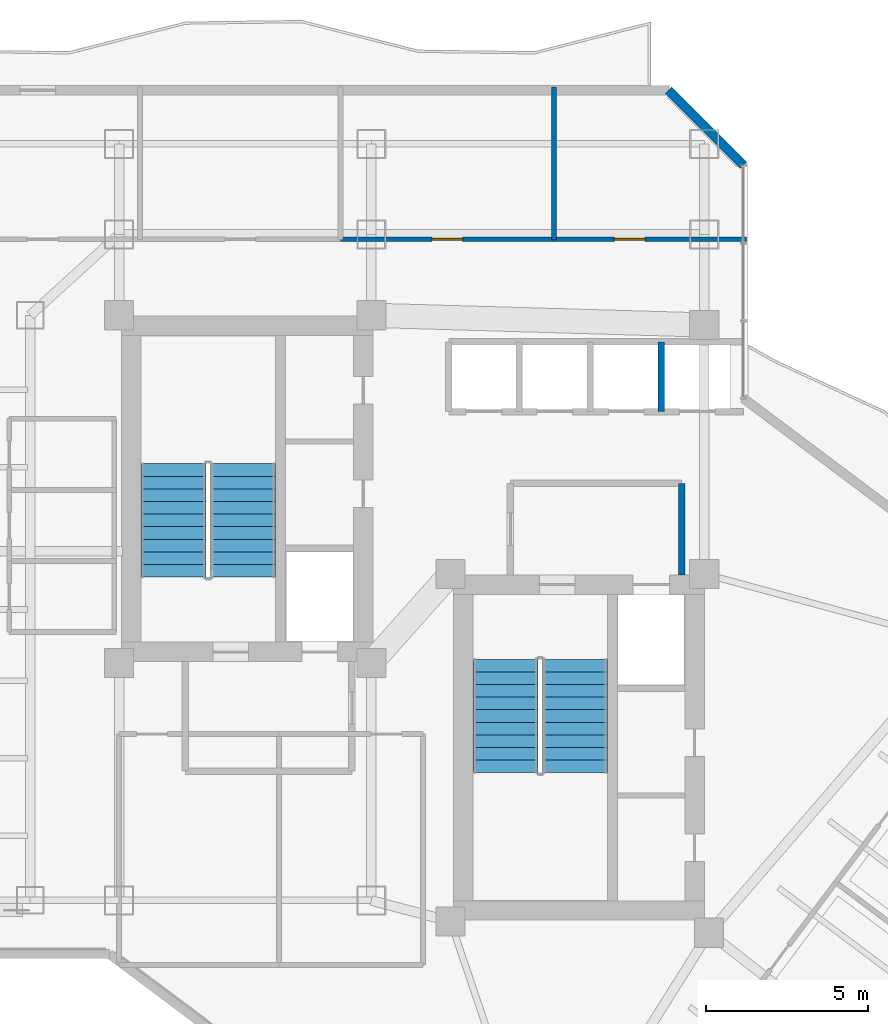
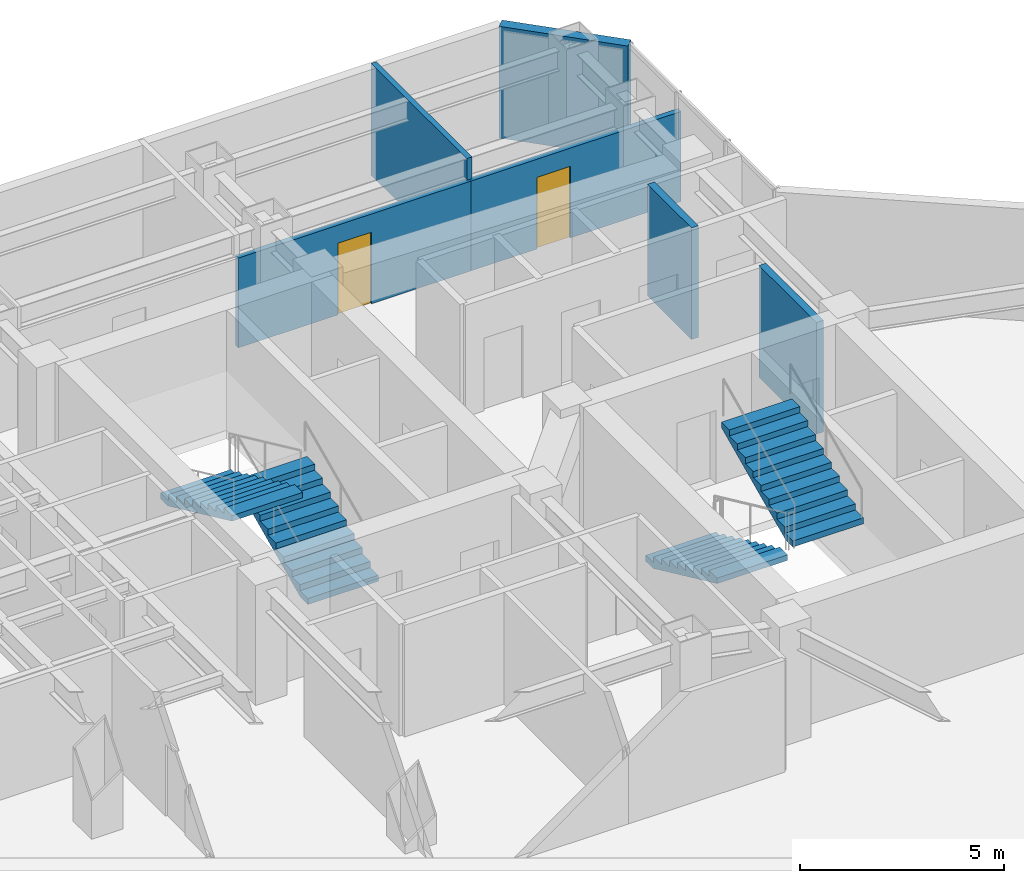
# One storey, part 26 of 31: 6 walls, 4 stair flights, 2 doors, 2 openings, 2 elements without a shape of their own.
"""IFC4 building model written with IfcOpenShell, lengths in metres."""

from ifc_helpers import new_model, si_unit, direction, frame, frame_2d, origin, place, context, subcontext, project, spatial, polyline, rectangle, outline, extrude, material, layer, layer_set, type_object, element, fill, aggregate, save


model = new_model("IFC4")

# Units and contexts
model_context = context("Model", 3, precision=1e-05, world=origin(), true_north=direction((0.0, 1.0)))
body_context = subcontext(model_context, "Body", "Model", "MODEL_VIEW")
ifc_project = project(units=[si_unit("LENGTHUNIT", "METRE"), si_unit("AREAUNIT", "SQUARE_METRE"), si_unit("VOLUMEUNIT", "CUBIC_METRE"), si_unit("PLANEANGLEUNIT", "RADIAN"), si_unit("MASSUNIT", "GRAM", prefix="KILO")], contexts=[model_context])

# Site, building, storey
site_placement = place(None, origin())
site = spatial("IfcSite", under=ifc_project, at=site_placement, CompositionType="ELEMENT")
building_placement = place(site_placement, origin())
building = spatial("IfcBuilding", under=site, at=building_placement, Name="Hatsunagi Terrace Concourse", CompositionType="ELEMENT")
storey_placement = place(building_placement, frame((0.0, 0.0, 122.85009765625)))
storey = spatial("IfcBuildingStorey", under=building, at=storey_placement, Name="L32", CompositionType="ELEMENT", Elevation=122.85009765625)

# Wall, opening, door
ifc_material_1 = material(Name="Acoustic mineral board", Category="gypsum")
ifc_layer_1 = layer(ifc_material_1, 0.14990234375)
ifc_layer_set_1 = layer_set([ifc_layer_1], Name="PartitionWall_EI60_150")
wall_type_1 = type_object("IfcWallType", Name="PartitionWall_EI60_150", PredefinedType="PARTITIONING", material=ifc_layer_set_1)
wall_1_placement = place(storey_placement, frame((32.39990234375, 45.64990234375, 0.0), z_axis=(0.0, 0.0, 1.0), x_axis=(1.0, 0.0, 0.0)))
wall_1 = element("IfcWall", 1, at=wall_1_placement, inside=storey, type_object=wall_type_1, Name="Interior Partition IW-L32-045", PredefinedType="PARTITIONING", context=body_context, shape_type="SweptSolid", body=[
    extrude(rectangle(XDim=6.60009765625, YDim=0.14990234375, at=frame_2d((3.300048828125, 0.0))), origin(), (0.0, 0.0, 1.0), 2.69482421875),
])
opening_1_placement = place(wall_1_placement, frame((2.824951171875, 0.0, 0.0)))
opening_1 = element("IfcOpeningElement", 2, at=opening_1_placement, cuts=wall_1, Name="Opening DR-095", PredefinedType="OPENING", context=body_context, shape_type="SweptSolid", body=[
    extrude(rectangle(XDim=0.949951171875, YDim=2.14990234375, at=frame_2d((0.47509765625, 1.074951171875))), frame((0.0, 0.0849609375, 0.0), z_axis=(0.0, -1.0, 0.0), x_axis=(1.0, 0.0, 0.0)), (0.0, 0.0, 1.0), 0.169921875),
])
ifc_material_2 = material(Name="Hardwood timber", Category="wood")
door_type = type_object("IfcDoorType", Name="InteriorSuiteDoor_EI30_950", OperationType="NOTDEFINED", PredefinedType="DOOR", material=ifc_material_2)
door_1_placement = place(opening_1_placement, origin())
door_1 = element("IfcDoor", 3, at=door_1_placement, inside=storey, type_object=door_type, Name="Meeting Room L32-ON3 Door", OperationType="SINGLE_SWING_RIGHT", OverallHeight=2.14990234375, OverallWidth=0.949951171875, PredefinedType="DOOR", context=body_context, shape_type="SweptSolid", body=[
    extrude(rectangle(XDim=0.949951171875, YDim=2.14990234375, at=frame_2d((0.47509765625, 1.074951171875))), frame((0.0, 0.02490234375, 0.0), z_axis=(0.0, -1.0, 0.0), x_axis=(1.0, 0.0, 0.0)), (0.0, 0.0, 1.0), 0.050048828125),
])
fill(opening_1, door_1)

# Wall
wall_2_placement = place(storey_placement, frame((39.0, 45.64990234375, 0.0), z_axis=(0.0, 0.0, 1.0), x_axis=(0.0, 1.0, 0.0)))
element("IfcWall", 4, at=wall_2_placement, inside=storey, type_object=wall_type_1, Name="Interior Partition IW-L32-046", PredefinedType="PARTITIONING", context=body_context, shape_type="SweptSolid", body=[
    extrude(rectangle(XDim=4.710205078125, YDim=0.14990234375, at=frame_2d((2.35498046875, 0.0))), origin(), (0.0, 0.0, 1.0), 3.349853515625),
])

# Wall, opening, door
wall_3_placement = place(storey_placement, frame((39.0, 45.64990234375, 0.0), z_axis=(0.0, 0.0, 1.0), x_axis=(1.0, 0.0, 0.0)))
wall_3 = element("IfcWall", 5, at=wall_3_placement, inside=storey, type_object=wall_type_1, Name="Interior Partition IW-L32-047", PredefinedType="PARTITIONING", context=body_context, shape_type="SweptSolid", body=[
    extrude(rectangle(XDim=5.9599609375, YDim=0.14990234375, at=frame_2d((2.97998046875, 0.0))), origin(), (0.0, 0.0, 1.0), 2.69482421875),
])
opening_2_placement = place(wall_3_placement, frame((1.867919921875, 0.0, 0.0)))
opening_2 = element("IfcOpeningElement", 6, at=opening_2_placement, cuts=wall_3, Name="Opening DR-095", PredefinedType="OPENING", context=body_context, shape_type="SweptSolid", body=[
    extrude(rectangle(XDim=0.949951171875, YDim=2.14990234375, at=frame_2d((0.47509765625, 1.074951171875))), frame((0.0, 0.0849609375, 0.0), z_axis=(0.0, -1.0, 0.0), x_axis=(1.0, 0.0, 0.0)), (0.0, 0.0, 1.0), 0.169921875),
])
door_2_placement = place(opening_2_placement, origin())
door_2 = element("IfcDoor", 7, at=door_2_placement, inside=storey, type_object=door_type, Name="Client Consultation Room L32-ON4 Door", OperationType="SINGLE_SWING_RIGHT", OverallHeight=2.14990234375, OverallWidth=0.949951171875, PredefinedType="DOOR", context=body_context, shape_type="SweptSolid", body=[
    extrude(rectangle(XDim=0.949951171875, YDim=2.14990234375, at=frame_2d((0.47509765625, 1.074951171875))), frame((0.0, 0.02490234375, 0.0), z_axis=(0.0, -1.0, 0.0), x_axis=(1.0, 0.0, 0.0)), (0.0, 0.0, 1.0), 0.050048828125),
])
fill(opening_2, door_2)

# Walls
ifc_material_3 = material(Name="Acoustic mineral board", Category="gypsum")
ifc_layer_2 = layer(ifc_material_3, 0.199951171875)
ifc_layer_set_2 = layer_set([ifc_layer_2], Name="ShaftWall_EI120_200")
wall_type_2 = type_object("IfcWallType", Name="ShaftWall_EI120_200", PredefinedType="STANDARD", material=ifc_layer_set_2)
wall_4_placement = place(storey_placement, frame((42.949951171875, 35.27001953125, 0.0), z_axis=(0.0, 0.0, 1.0), x_axis=(0.0, 1.0, 0.0)))
element("IfcWall", 8, at=wall_4_placement, inside=storey, type_object=wall_type_2, Name="Interior Partition IW-L32-009", PredefinedType="STANDARD", context=body_context, shape_type="SweptSolid", body=[
    extrude(rectangle(XDim=2.830078125, YDim=0.199951171875, at=frame_2d((1.4150390625, 0.0))), origin(), (0.0, 0.0, 1.0), 3.349853515625),
])
wall_5_placement = place(storey_placement, frame((42.320068359375, 40.320068359375, 0.0), z_axis=(0.0, 0.0, 1.0), x_axis=(0.0, 1.0, 0.0)))
element("IfcWall", 9, at=wall_5_placement, inside=storey, type_object=wall_type_2, Name="Interior Partition IW-L32-015", PredefinedType="STANDARD", context=body_context, shape_type="SweptSolid", body=[
    extrude(rectangle(XDim=2.159912109375, YDim=0.199951171875, at=frame_2d((1.080078125, 0.0))), origin(), (0.0, 0.0, 1.0), 3.349853515625),
])
ifc_material_4 = material(Name="Autoclaved Lightweight Concrete and Terracotta Cladding", Category="masonry")
ifc_layer_3 = layer(ifc_material_4, 0.280029296875)
ifc_layer_set_3 = layer_set([ifc_layer_3], Name="TerracottaSpandrelWall_280")
wall_type_3 = type_object("IfcWallType", Name="TerracottaSpandrelWall_280", PredefinedType="STANDARD", material=ifc_layer_set_3)
wall_6_placement = place(storey_placement, frame((42.5419921875, 50.260009765625, 0.0), z_axis=(0.0, 0.0, 1.0), x_axis=(0.707106781187, -0.707106781187, 0.0)))
element("IfcWall", 10, at=wall_6_placement, inside=storey, type_object=wall_type_3, Name="Exterior Spandrel Wall EW-L32-12", PredefinedType="STANDARD", context=body_context, shape_type="SweptSolid", body=[
    extrude(rectangle(XDim=3.2783203125, YDim=0.280029296875, at=frame_2d((1.63916015625, 0.0))), origin(), (0.0, 0.0, 1.0), 3.349853515625),
])

# Stair, stair flights
ifc_material_5 = material(Name="Concrete Fc42", Category="concrete")
stair_type = type_object("IfcStairType", Name="DoglegExitStair_Tower2000_20R_180", PredefinedType="HALF_TURN_STAIR", material=ifc_material_5)
stair_1_placement = place(storey_placement, origin())
stair_1 = element("IfcStair", 11, at=stair_1_placement, inside=storey, type_object=stair_type, Name="L32 Core A Protected Exit Stair ST-A", PredefinedType="HALF_TURN_STAIR")
ifc_material_6 = material(Name="Concrete Fc42", Category="concrete")
stair_flight_type = type_object("IfcStairFlightType", Name="DoglegStairFlight_Tower2000_20R_180", PredefinedType="STRAIGHT", material=ifc_material_6)
stair_flight_1_placement = place(storey_placement, frame((29.3798828125, 35.199951171875, 0.0), z_axis=(0.0, 0.0, 1.0), x_axis=(0.0, 1.0, 0.0)))
stair_flight_1 = element("IfcStairFlight", 12, at=stair_flight_1_placement, type_object=stair_flight_type, Name="ST-A flight 1", NumberOfRisers=10, NumberOfTreads=9, PredefinedType="STRAIGHT", RiserHeight=0.18, TreadLength=0.39, context=body_context, shape_type="SweptSolid", body=[
    extrude(outline(polyline([(0.0, 0.0), (0.0, 0.179931640625), (0.389892578125, 0.179931640625), (0.389892578125, 0.360107421875), (0.780029296875, 0.360107421875), (0.780029296875, 0.5400390625), (1.169921875, 0.5400390625), (1.169921875, 0.719970703125), (1.56005859375, 0.719970703125), (1.56005859375, 0.89990234375), (1.949951171875, 0.89990234375), (1.949951171875, 1.080078125), (2.340087890625, 1.080078125), (2.340087890625, 1.260009765625), (2.72998046875, 1.260009765625), (2.72998046875, 1.43994140625), (3.1201171875, 1.43994140625), (3.1201171875, 1.6201171875), (3.510009765625, 1.6201171875), (3.510009765625, 1.800048828125), (3.510009765625, 1.454833984375), (0.357666015625, 0.0), (0.0, 0.0)])), frame((0.0, 1.0, 0.0), z_axis=(0.0, -1.0, 0.0), x_axis=(1.0, 0.0, 0.0)), (0.0, 0.0, 1.0), 2.0),
])
stair_flight_2_placement = place(storey_placement, frame((27.22998046875, 38.7099609375, 1.7998046875), z_axis=(0.0, 0.0, 1.0), x_axis=(0.0, -1.0, 0.0)))
stair_flight_2 = element("IfcStairFlight", 13, at=stair_flight_2_placement, type_object=stair_flight_type, Name="ST-A flight 2", NumberOfRisers=10, NumberOfTreads=9, PredefinedType="STRAIGHT", RiserHeight=0.18, TreadLength=0.39, context=body_context, shape_type="SweptSolid", body=[
    extrude(outline(polyline([(0.0, 0.0), (0.0, 0.179931640625), (0.389892578125, 0.179931640625), (0.389892578125, 0.360107421875), (0.780029296875, 0.360107421875), (0.780029296875, 0.5400390625), (1.169921875, 0.5400390625), (1.169921875, 0.719970703125), (1.56005859375, 0.719970703125), (1.56005859375, 0.89990234375), (1.949951171875, 0.89990234375), (1.949951171875, 1.080078125), (2.340087890625, 1.080078125), (2.340087890625, 1.260009765625), (2.72998046875, 1.260009765625), (2.72998046875, 1.43994140625), (3.1201171875, 1.43994140625), (3.1201171875, 1.6201171875), (3.510009765625, 1.6201171875), (3.510009765625, 1.800048828125), (3.510009765625, 1.454833984375), (0.357666015625, 0.0), (0.0, 0.0)])), frame((0.0, 1.0, 0.0), z_axis=(0.0, -1.0, 0.0), x_axis=(1.0, 0.0, 0.0)), (0.0, 0.0, 1.0), 2.0),
])
aggregate(stair_1, [stair_flight_1, stair_flight_2])

stair_2_placement = place(storey_placement, origin())
stair_2 = element("IfcStair", 14, at=stair_2_placement, inside=storey, type_object=stair_type, Name="L32 Core B Protected Exit Stair ST-B", PredefinedType="HALF_TURN_STAIR")
stair_flight_3_placement = place(storey_placement, frame((37.5, 32.659912109375, 0.0), z_axis=(0.0, 0.0, 1.0), x_axis=(0.0, -1.0, 0.0)))
stair_flight_3 = element("IfcStairFlight", 15, at=stair_flight_3_placement, type_object=stair_flight_type, Name="ST-B flight 1", NumberOfRisers=10, NumberOfTreads=9, PredefinedType="STRAIGHT", RiserHeight=0.18, TreadLength=0.39, context=body_context, shape_type="SweptSolid", body=[
    extrude(outline(polyline([(0.0, 0.0), (0.0, 0.179931640625), (0.389892578125, 0.179931640625), (0.389892578125, 0.360107421875), (0.780029296875, 0.360107421875), (0.780029296875, 0.5400390625), (1.169921875, 0.5400390625), (1.169921875, 0.719970703125), (1.56005859375, 0.719970703125), (1.56005859375, 0.89990234375), (1.949951171875, 0.89990234375), (1.949951171875, 1.080078125), (2.340087890625, 1.080078125), (2.340087890625, 1.260009765625), (2.72998046875, 1.260009765625), (2.72998046875, 1.43994140625), (3.1201171875, 1.43994140625), (3.1201171875, 1.6201171875), (3.510009765625, 1.6201171875), (3.510009765625, 1.800048828125), (3.510009765625, 1.454833984375), (0.357666015625, 0.0), (0.0, 0.0)])), frame((0.0, 1.0, 0.0), z_axis=(0.0, -1.0, 0.0), x_axis=(1.0, 0.0, 0.0)), (0.0, 0.0, 1.0), 2.0),
])
stair_flight_4_placement = place(storey_placement, frame((39.64990234375, 29.14990234375, 1.7998046875), z_axis=(0.0, 0.0, 1.0), x_axis=(0.0, 1.0, 0.0)))
stair_flight_4 = element("IfcStairFlight", 16, at=stair_flight_4_placement, type_object=stair_flight_type, Name="ST-B flight 2", NumberOfRisers=10, NumberOfTreads=9, PredefinedType="STRAIGHT", RiserHeight=0.18, TreadLength=0.39, context=body_context, shape_type="SweptSolid", body=[
    extrude(outline(polyline([(0.0, 0.0), (0.0, 0.179931640625), (0.389892578125, 0.179931640625), (0.389892578125, 0.360107421875), (0.780029296875, 0.360107421875), (0.780029296875, 0.5400390625), (1.169921875, 0.5400390625), (1.169921875, 0.719970703125), (1.56005859375, 0.719970703125), (1.56005859375, 0.89990234375), (1.949951171875, 0.89990234375), (1.949951171875, 1.080078125), (2.340087890625, 1.080078125), (2.340087890625, 1.260009765625), (2.72998046875, 1.260009765625), (2.72998046875, 1.43994140625), (3.1201171875, 1.43994140625), (3.1201171875, 1.6201171875), (3.510009765625, 1.6201171875), (3.510009765625, 1.800048828125), (3.510009765625, 1.454833984375), (0.357666015625, 0.0), (0.0, 0.0)])), frame((0.0, 1.0, 0.0), z_axis=(0.0, -1.0, 0.0), x_axis=(1.0, 0.0, 0.0)), (0.0, 0.0, 1.0), 2.0),
])
aggregate(stair_2, [stair_flight_3, stair_flight_4])

save(model, "model.ifc")
